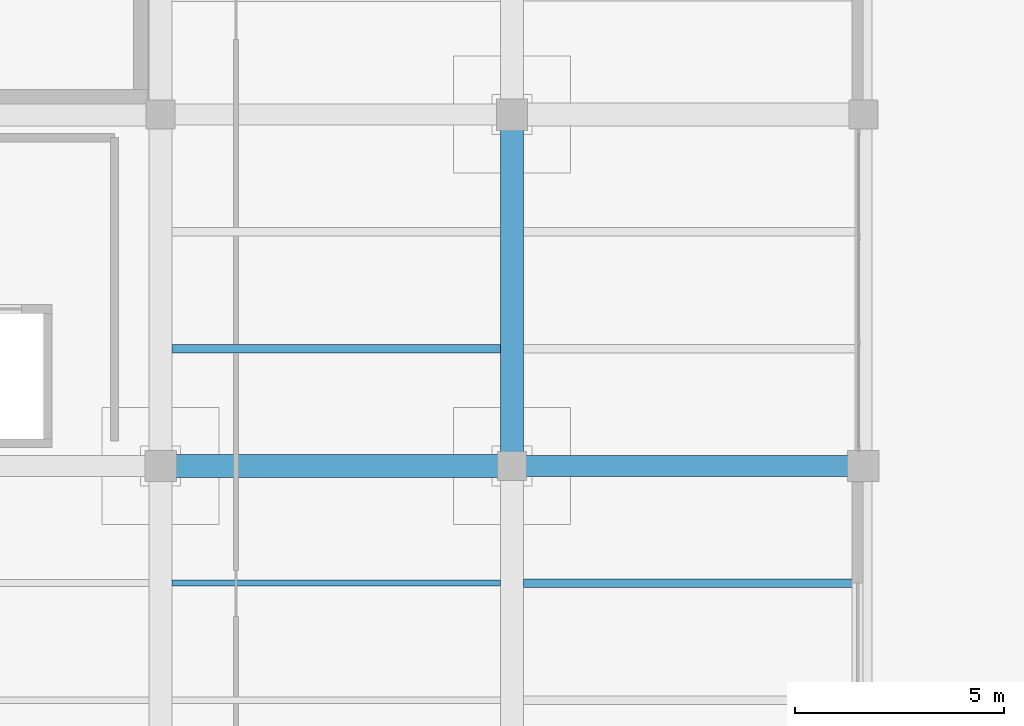
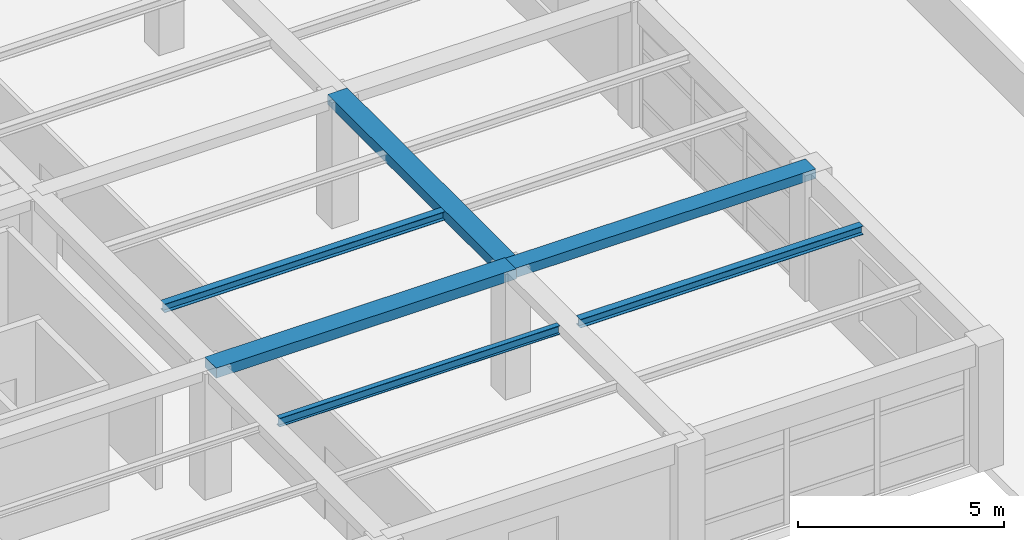
# One storey, part 17 of 35: 6 beams.
"""IFC4 building model written with IfcOpenShell, lengths in metres."""

from ifc_helpers import new_model, si_unit, direction, frame, origin, origin_2d, place, context, subcontext, project, spatial, rectangle, i_section, extrude, material, material_profile, profile_set, type_object, element, save


model = new_model("IFC4")

# Units and contexts
model_context = context("Model", 3, precision=1e-05, world=origin(), true_north=direction((0.0, 1.0)))
body_context = subcontext(model_context, "Body", "Model", "MODEL_VIEW")
ifc_project = project(units=[si_unit("LENGTHUNIT", "METRE"), si_unit("AREAUNIT", "SQUARE_METRE"), si_unit("VOLUMEUNIT", "CUBIC_METRE"), si_unit("PLANEANGLEUNIT", "RADIAN"), si_unit("MASSUNIT", "GRAM", prefix="KILO")], contexts=[model_context])

# Site, building, storey
site_placement = place(None, origin())
site = spatial("IfcSite", under=ifc_project, at=site_placement, CompositionType="ELEMENT")
building_placement = place(site_placement, origin())
building = spatial("IfcBuilding", under=site, at=building_placement, Name="Almacenes y Pasaje Nevantli", CompositionType="ELEMENT")
storey_placement = place(building_placement, frame((0.0, 0.0, 26.699951171875)))
storey = spatial("IfcBuildingStorey", under=building, at=storey_placement, Name="L06", CompositionType="ELEMENT", Elevation=26.699951171875)

# Beams
ifc_material_1 = material(Name="Concrete C35/45", Category="concrete")
ifc_material_profile_1 = material_profile(ifc_material_1, rectangle(XDim=0.5, YDim=0.280029296875, at=origin_2d()), Name="RC-BM-500x280")
ifc_profile_set_1 = profile_set([ifc_material_profile_1], Name="Concrete C35/45")
beam_type_1 = type_object("IfcBeamType", Name="BM-RC-500x280", PredefinedType="BEAM", material=ifc_profile_set_1)
beam_1_placement = place(storey_placement, frame((151.199951171875, 75.60009765625, 3.580078125), z_axis=(1.0, 0.0, 0.0), x_axis=(0.0, 1.0, 0.0)))
element("IfcBeam", 1, at=beam_1_placement, inside=storey, type_object=beam_type_1, Name="L06 East-West Reinforced Concrete Beam #3584", PredefinedType="BEAM", context=body_context, shape_type="SweptSolid", body=[
    extrude(rectangle(XDim=0.5, YDim=0.280029296875, at=origin_2d()), origin(), (0.0, 0.0, 1.0), 8.400146484375),
])
ifc_material_2 = material(Name="Concrete C35/45", Category="concrete")
ifc_material_profile_2 = material_profile(ifc_material_2, rectangle(XDim=0.550048828125, YDim=0.300048828125, at=origin_2d()), Name="RC-BM-550x300")
ifc_profile_set_2 = profile_set([ifc_material_profile_2], Name="Concrete C35/45")
beam_type_2 = type_object("IfcBeamType", Name="BM-RC-550x300", PredefinedType="BEAM", material=ifc_profile_set_2)
for number, where, z_axis, x_axis, name in (
    (2, (142.800048828125, 75.60009765625, 3.570068359375), (1.0, 0.0, 0.0), (0.0, 1.0, 0.0), "L06 East-West Reinforced Concrete Beam #3583"),
    (3, (151.199951171875, 75.60009765625, 3.570068359375), (0.0, 1.0, 0.0), (-1.0, 0.0, 0.0), "L06 North-South Reinforced Concrete Beam #3622"),
):
    element("IfcBeam", number, at=place(storey_placement, frame(where, z_axis=z_axis, x_axis=x_axis)), inside=storey, type_object=beam_type_2, Name=name, PredefinedType="BEAM", context=body_context, shape_type="SweptSolid", body=[
        extrude(rectangle(XDim=0.550048828125, YDim=0.300048828125, at=origin_2d()), origin(), (0.0, 0.0, 1.0), 8.39990234375),
    ])
ifc_material_3 = material(Name="Steel ASTM A992", Category="steel")
ifc_material_profile_3 = material_profile(ifc_material_3, i_section(OverallWidth=0.14697265625, OverallDepth=0.257080078125, WebThickness=0.006591796875, FlangeThickness=0.01123046875, at=origin_2d()), Name="IR 254x38.7")
ifc_profile_set_3 = profile_set([ifc_material_profile_3], Name="Steel ASTM A992")
beam_type_3 = type_object("IfcBeamType", Name="BM-STL-IR-254x38p7", PredefinedType="JOIST", material=ifc_profile_set_3)
beam_2_placement = place(storey_placement, frame((143.074951171875, 72.800048828125, 3.58349609375), z_axis=(1.0, 0.0, 0.0), x_axis=(0.0, 1.0, 0.0)))
element("IfcBeam", 4, at=beam_2_placement, inside=storey, type_object=beam_type_3, Name="L06 Secondary Steel Floor Joist #1372", PredefinedType="JOIST", context=body_context, shape_type="SweptSolid", body=[
    extrude(i_section(OverallWidth=0.14697265625, OverallDepth=0.257080078125, WebThickness=0.006591796875, FlangeThickness=0.01123046875, at=origin_2d()), origin(), (0.0, 0.0, 1.0), 7.85009765625),
])
ifc_material_4 = material(Name="Steel ASTM A992", Category="steel")
ifc_material_profile_4 = material_profile(ifc_material_4, i_section(OverallWidth=0.202880859375, OverallDepth=0.25390625, WebThickness=0.00732421875, FlangeThickness=0.010986328125, at=origin_2d()), Name="IR 254x49.1")
ifc_profile_set_4 = profile_set([ifc_material_profile_4], Name="Steel ASTM A992")
beam_type_4 = type_object("IfcBeamType", Name="BM-STL-IR-254x49p1", PredefinedType="JOIST", material=ifc_profile_set_4)
beam_3_placement = place(storey_placement, frame((143.074951171875, 78.39990234375, 3.5849609375), z_axis=(1.0, 0.0, 0.0), x_axis=(0.0, 1.0, 0.0)))
element("IfcBeam", 5, at=beam_3_placement, inside=storey, type_object=beam_type_4, Name="L06 Secondary Steel Floor Joist #1373", PredefinedType="JOIST", context=body_context, shape_type="SweptSolid", body=[
    extrude(i_section(OverallWidth=0.202880859375, OverallDepth=0.25390625, WebThickness=0.00732421875, FlangeThickness=0.010986328125, at=origin_2d()), origin(), (0.0, 0.0, 1.0), 7.85009765625),
])
beam_4_placement = place(storey_placement, frame((151.47509765625, 72.800048828125, 3.5849609375), z_axis=(1.0, 0.0, 0.0), x_axis=(0.0, 1.0, 0.0)))
element("IfcBeam", 6, at=beam_4_placement, inside=storey, type_object=beam_type_4, Name="L06 Secondary Steel Floor Joist #1380", PredefinedType="JOIST", context=body_context, shape_type="SweptSolid", body=[
    extrude(i_section(OverallWidth=0.202880859375, OverallDepth=0.25390625, WebThickness=0.00732421875, FlangeThickness=0.010986328125, at=origin_2d()), origin(), (0.0, 0.0, 1.0), 7.9248046875),
])

save(model, "model.ifc")
